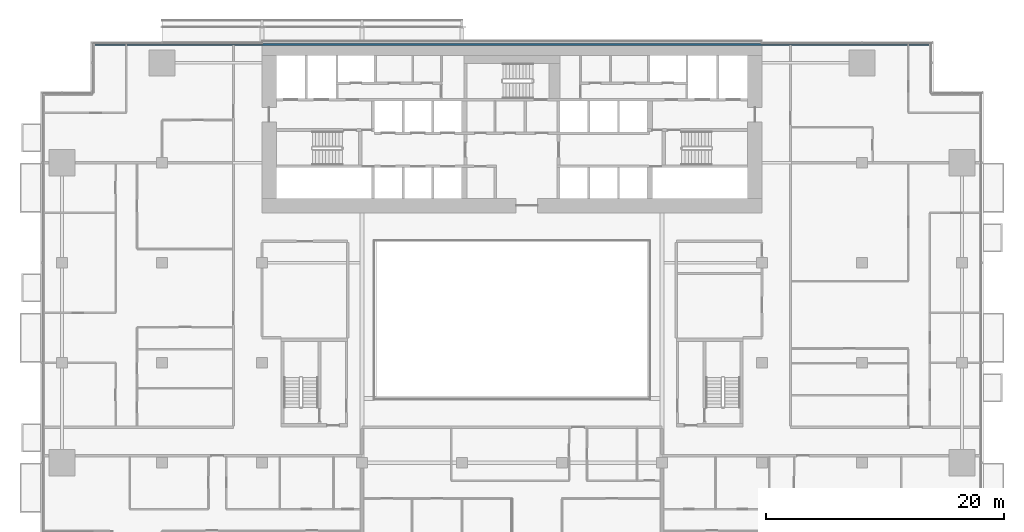
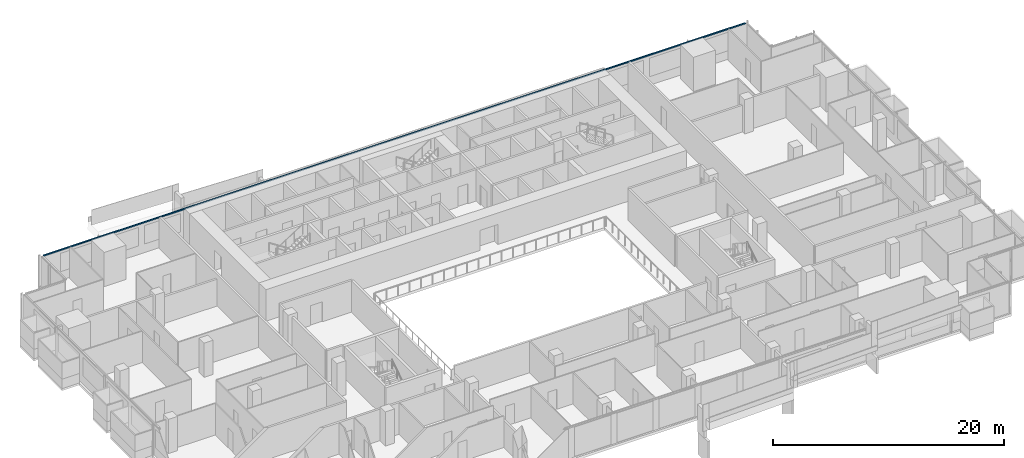
# One storey, part 9 of 27: 1 member, 1 element without a shape of its own.
"""IFC4 building model written with IfcOpenShell, lengths in metres."""

from ifc_helpers import new_model, si_unit, direction, frame, origin, origin_2d, place, context, subcontext, project, spatial, rectangle, extrude, material, material_profile, profile_set, type_object, element, aggregate, save


model = new_model("IFC4")

# Units and contexts
model_context = context("Model", 3, precision=1e-05, world=origin(), true_north=direction((0.0, 1.0)))
body_context = subcontext(model_context, "Body", "Model", "MODEL_VIEW")
ifc_project = project(units=[si_unit("LENGTHUNIT", "METRE"), si_unit("AREAUNIT", "SQUARE_METRE"), si_unit("VOLUMEUNIT", "CUBIC_METRE"), si_unit("PLANEANGLEUNIT", "RADIAN"), si_unit("MASSUNIT", "GRAM", prefix="KILO")], contexts=[model_context])

# Site, building, storey
site_placement = place(None, origin())
site = spatial("IfcSite", under=ifc_project, at=site_placement, CompositionType="ELEMENT")
building_placement = place(site_placement, origin())
building = spatial("IfcBuilding", under=site, at=building_placement, Name="Saffron Gate Tower", CompositionType="ELEMENT")
storey_placement = place(building_placement, frame((0.0, 0.0, 44.39990234375)))
storey = spatial("IfcBuildingStorey", under=building, at=storey_placement, Name="L09", CompositionType="ELEMENT", Elevation=44.39990234375)

# Curtain wall, member
ifc_material = material(Name="Aluminium, bronze anodised", Category="aluminium")
curtain_wall_type = type_object("IfcCurtainWallType", Name="CWS3 curtain wall rear facade", PredefinedType="NOTDEFINED", material=ifc_material)
curtain_wall_placement = place(storey_placement, origin())
curtain_wall = element("IfcCurtainWall", 1, at=curtain_wall_placement, inside=storey, type_object=curtain_wall_type, Name="CWS3 run 7", PredefinedType="NOTDEFINED")
ifc_material_profile = material_profile(ifc_material, rectangle(XDim=0.1201171875, YDim=0.1201171875, at=origin_2d()))
ifc_profile_set = profile_set([ifc_material_profile], Name="Aluminium, bronze anodised")
member_type = type_object("IfcMemberType", Name="CWS3 head transom", PredefinedType="USERDEFINED", material=ifc_profile_set)
member_placement = place(storey_placement, frame((122.632080078125, 75.35205078125, 3.260009765625), z_axis=(-1.0, 0.0, 0.0), x_axis=(0.0, -1.0, 0.0)))
member = element("IfcMember", 2, at=member_placement, type_object=member_type, Name="CWS3 head transom", ObjectType="TRANSOM", PredefinedType="USERDEFINED", context=body_context, shape_type="SweptSolid", body=[
    extrude(rectangle(XDim=0.1201171875, YDim=0.1201171875, at=origin_2d()), origin(), (0.0, 0.0, 1.0), 70.06396484375),
])
aggregate(curtain_wall, [member])

save(model, "model.ifc")
